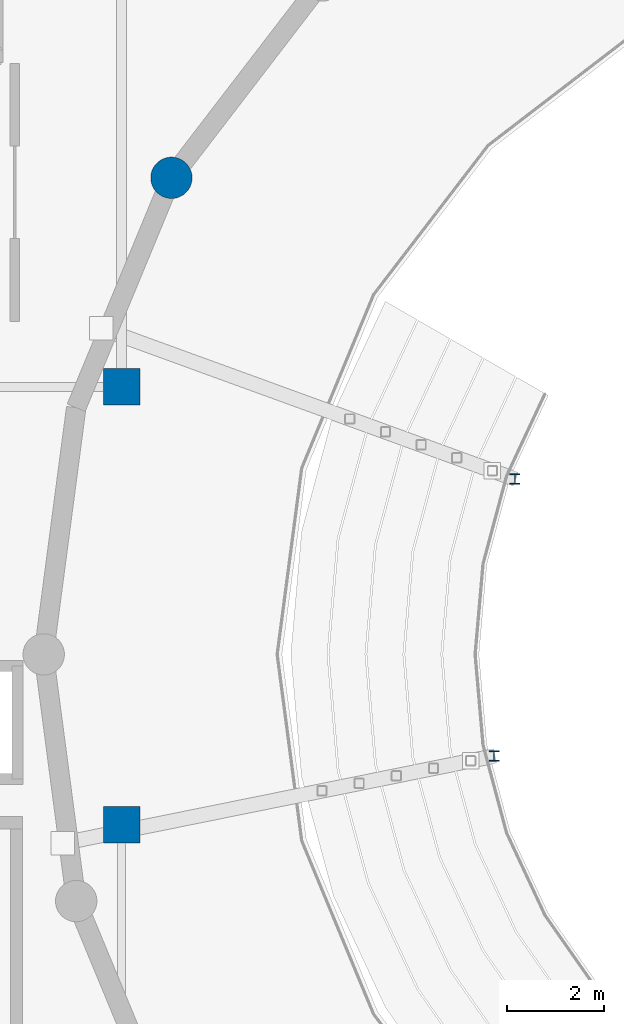
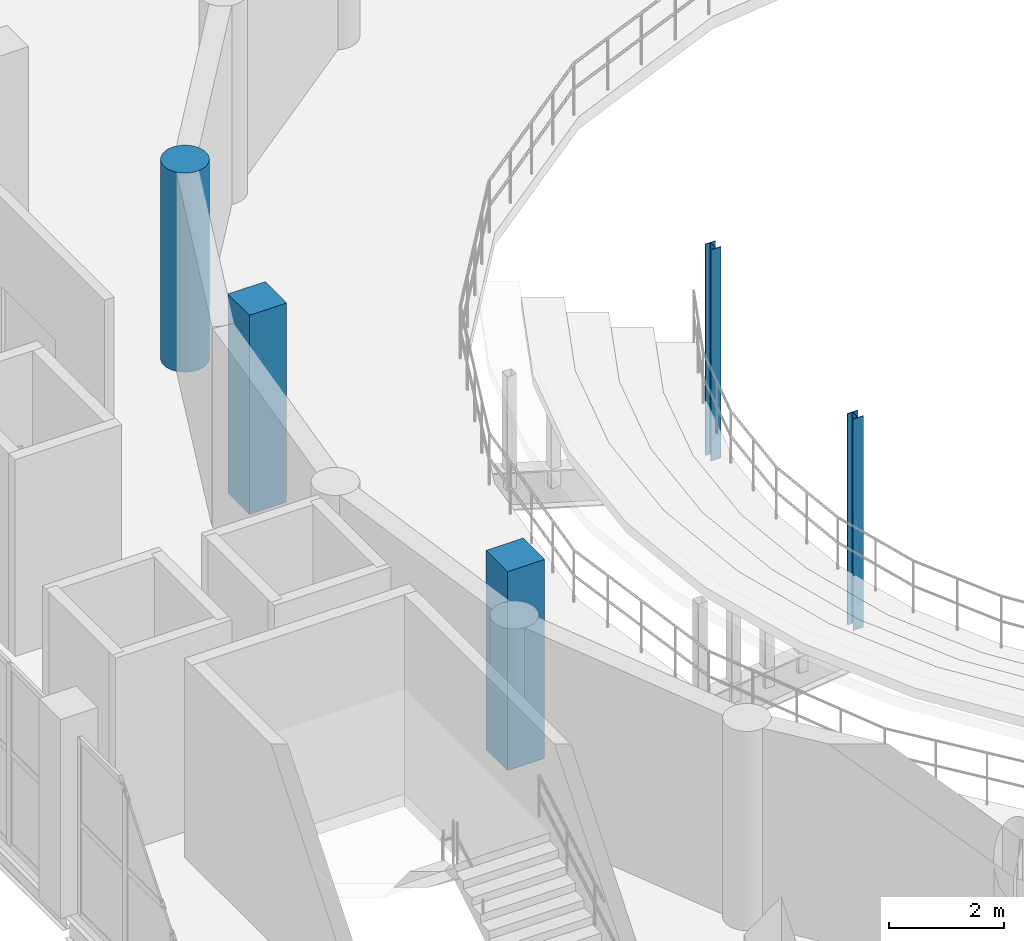
# One storey, part 9 of 85: 5 columns.
"""IFC4 building model written with IfcOpenShell, lengths in metres."""

from ifc_helpers import new_model, si_unit, direction, frame, origin, origin_2d, place, context, subcontext, project, spatial, rectangle, circle, i_section, extrude, material, material_profile, profile_set, type_object, element, save


model = new_model("IFC4")

# Units and contexts
model_context = context("Model", 3, precision=1e-05, world=origin(), true_north=direction((0.0, 1.0)))
body_context = subcontext(model_context, "Body", "Model", "MODEL_VIEW")
ifc_project = project(units=[si_unit("LENGTHUNIT", "METRE"), si_unit("AREAUNIT", "SQUARE_METRE"), si_unit("VOLUMEUNIT", "CUBIC_METRE"), si_unit("PLANEANGLEUNIT", "RADIAN"), si_unit("MASSUNIT", "GRAM", prefix="KILO")], contexts=[model_context])

# Site, building, storey
site_placement = place(None, origin())
site = spatial("IfcSite", under=ifc_project, at=site_placement, CompositionType="ELEMENT")
building_placement = place(site_placement, origin())
building = spatial("IfcBuilding", under=site, at=building_placement, Name="Marnock Terrace Opera House", CompositionType="ELEMENT")
storey_placement = place(building_placement, frame((0.0, 0.0, 10.199951171875)))
storey = spatial("IfcBuildingStorey", under=building, at=storey_placement, Name="L02", CompositionType="ELEMENT", Elevation=10.199951171875)

# Columns
ifc_material_1 = material(Name="Concrete N50 (f'c = 50 MPa)", Category="concrete")
ifc_material_profile_1 = material_profile(ifc_material_1, circle(Radius=0.425048828125, at=origin_2d()))
ifc_profile_set_1 = profile_set([ifc_material_profile_1], Name="Concrete N50 (f'c = 50 MPa)")
column_type_1 = type_object("IfcColumnType", Name="COL-DRUM-850", PredefinedType="COLUMN", material=ifc_profile_set_1)
column_placement = place(storey_placement, frame((65.02587890625, 70.300048828125, 0.0), z_axis=(0.0, 0.0, 1.0), x_axis=(1.0, 0.0, 0.0)))
element("IfcColumn", 1, at=column_placement, inside=storey, type_object=column_type_1, Name="L02 auditorium drum pier 11", PredefinedType="COLUMN", context=body_context, shape_type="SweptSolid", body=[
    extrude(circle(Radius=0.425048828125, at=origin_2d()), origin(), (0.0, 0.0, 1.0), 4.239990234375),
])
ifc_material_profile_2 = material_profile(ifc_material_1, rectangle(XDim=0.75, YDim=0.75, at=origin_2d()))
ifc_profile_set_2 = profile_set([ifc_material_profile_2], Name="Concrete N50 (f'c = 50 MPa)")
column_type_2 = type_object("IfcColumnType", Name="COL-RC750", PredefinedType="COLUMN", material=ifc_profile_set_2)
for number, where, z_axis, x_axis, name in (
    (2, (64.0, 57.0, 0.0), (0.0, 0.0, 1.0), (1.0, 0.0, 0.0), "L02 column at (64.0, 57.0)"),
    (3, (64.0, 66.0, 0.0), (0.0, 0.0, 1.0), (1.0, 0.0, 0.0), "L02 column at (64.0, 66.0)"),
):
    element("IfcColumn", number, at=place(storey_placement, frame(where, z_axis=z_axis, x_axis=x_axis)), inside=storey, type_object=column_type_2, Name=name, PredefinedType="COLUMN", context=body_context, shape_type="SweptSolid", body=[
        extrude(rectangle(XDim=0.75, YDim=0.75, at=origin_2d()), origin(), (0.0, 0.0, 1.0), 4.239990234375),
    ])
ifc_material_2 = material(Name="Steel Grade 350 (AS/NZS 3679.1)", Category="steel")
ifc_material_profile_3 = material_profile(ifc_material_2, i_section(OverallWidth=0.205078125, OverallDepth=0.209716796875, WebThickness=0.00927734375, FlangeThickness=0.01416015625, FilletRadius=0.011474609375, at=origin_2d()))
ifc_profile_set_3 = profile_set([ifc_material_profile_3], Name="Steel Grade 350 (AS/NZS 3679.1)")
column_type_3 = type_object("IfcColumnType", Name="COL-UC200", PredefinedType="COLUMN", material=ifc_profile_set_3)
for number, where, z_axis, x_axis, name in (
    (4, (72.086181640625, 64.1083984375, -0.81005859375), (0.0, 0.0, 1.0), (1.0, 0.0, 0.0), "L02 Auditorium balcony-front column 1"),
    (5, (71.6591796875, 58.40966796875, -0.81005859375), (0.0, 0.0, 1.0), (1.0, 0.0, 0.0), "L02 Auditorium balcony-front column 2"),
):
    element("IfcColumn", number, at=place(storey_placement, frame(where, z_axis=z_axis, x_axis=x_axis)), inside=storey, type_object=column_type_3, Name=name, PredefinedType="COLUMN", context=body_context, shape_type="SweptSolid", body=[
        extrude(i_section(OverallWidth=0.205078125, OverallDepth=0.209716796875, WebThickness=0.00927734375, FlangeThickness=0.01416015625, FilletRadius=0.011474609375, at=origin_2d()), origin(), (0.0, 0.0, 1.0), 4.5),
    ])

save(model, "model.ifc")
